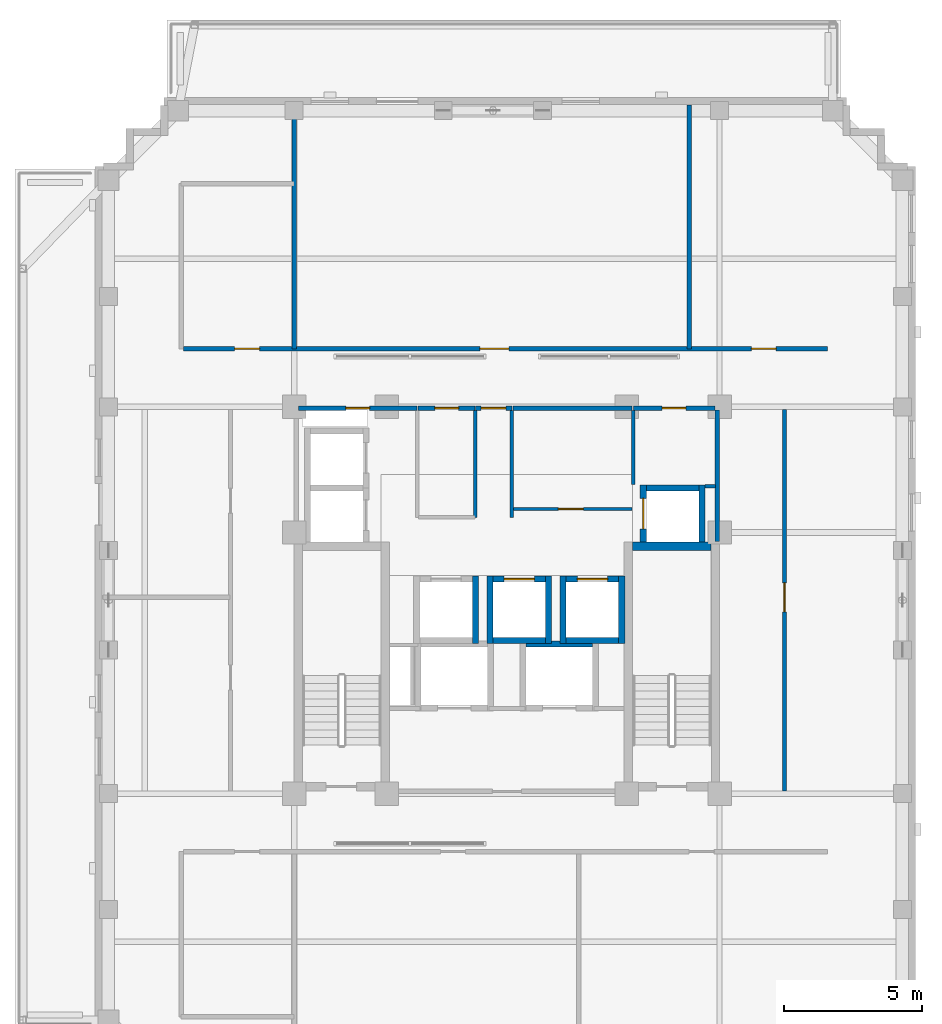
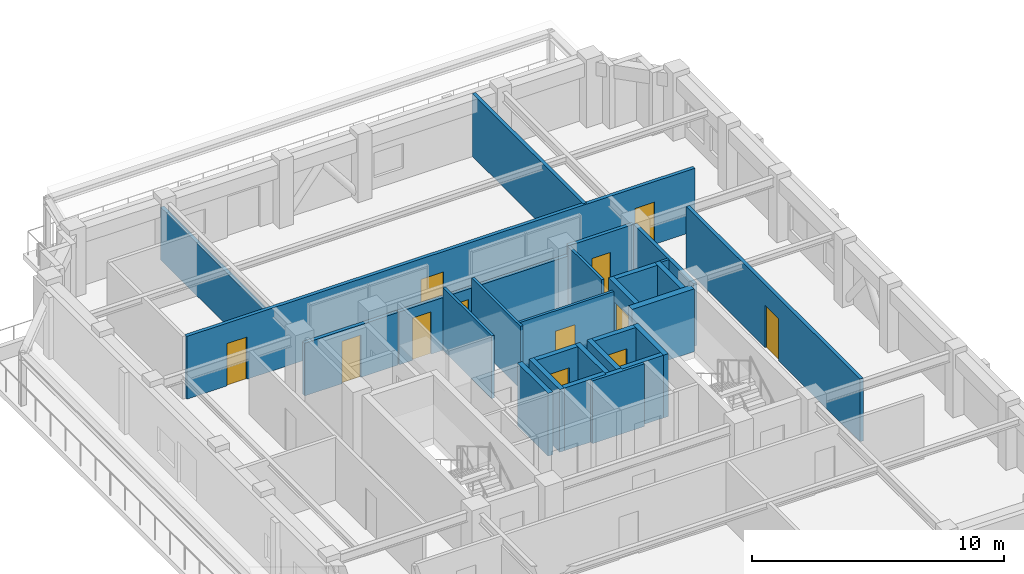
# One storey, part 9 of 14: 29 walls, 12 doors, 12 openings.
"""IFC4 building model written with IfcOpenShell, lengths in metres."""

from ifc_helpers import new_model, si_unit, derived_unit, direction, frame, frame_2d, origin, place, context, subcontext, project, spatial, rectangle, extrude, material, layer, layer_set, type_object, element, fill, save


model = new_model("IFC4")

# Units and contexts
model_context = context("Model", 3, precision=1e-05, world=origin(), true_north=direction((0.0, 1.0)))
body_context = subcontext(model_context, "Body", "Model", "MODEL_VIEW")
ifc_project = project(units=[si_unit("LENGTHUNIT", "METRE"), si_unit("AREAUNIT", "SQUARE_METRE"), si_unit("VOLUMEUNIT", "CUBIC_METRE"), si_unit("PLANEANGLEUNIT", "RADIAN"), si_unit("MASSUNIT", "GRAM", prefix="KILO"), derived_unit("THERMALTRANSMITTANCEUNIT", [(si_unit("MASSUNIT", "GRAM", prefix="KILO"), 1), (si_unit("TIMEUNIT", "SECOND"), -3), (si_unit("THERMODYNAMICTEMPERATUREUNIT", "KELVIN"), -1)])], contexts=[model_context])

# Site, building, storey
site_placement = place(None, origin())
site = spatial("IfcSite", under=ifc_project, at=site_placement, CompositionType="ELEMENT")
building_placement = place(site_placement, origin())
building = spatial("IfcBuilding", under=site, at=building_placement, Name="Korrvale Station Residences", CompositionType="ELEMENT")
storey_placement = place(building_placement, frame((0.0, 0.0, 174.39990234375)))
storey = spatial("IfcBuildingStorey", under=building, at=storey_placement, Name="L50", CompositionType="ELEMENT", Elevation=174.39990234375)

# Walls
ifc_material_1 = material(Name="Concrete C50/60", Category="concrete")
ifc_layer_1 = layer(ifc_material_1, 0.300048828125, Name="Concrete C50/60")
ifc_layer_set_1 = layer_set([ifc_layer_1], Name="Concrete C50/60")
wall_type_1 = type_object("IfcWallType", Name="WAL-CORE-300-C50", PredefinedType="SHEAR", material=ifc_layer_set_1)
wall_1_placement = place(storey_placement, frame((30.050048828125, 23.949951171875, 0.0), z_axis=(0.0, 0.0, 1.0), x_axis=(1.0, 0.0, 0.0)))
element("IfcWall", 1, at=wall_1_placement, inside=storey, type_object=wall_type_1, Name="L50 ST-2 Core Shear Wall North", PredefinedType="SHEAR", context=body_context, shape_type="SweptSolid", body=[
    extrude(rectangle(XDim=2.849853515625, YDim=0.300048828125, at=frame_2d((1.4248046875, 0.0))), origin(), (0.0, 0.0, 1.0), 3.0400390625),
])
ifc_material_2 = material(Name="Acoustic steel-stud gypsum board partition", Category="steel")
ifc_layer_2 = layer(ifc_material_2, 0.1201171875, Name="Acoustic steel-stud gypsum board partition")
ifc_layer_set_2 = layer_set([ifc_layer_2], Name="Acoustic steel-stud gypsum board partition")
wall_type_2 = type_object("IfcWallType", Name="WAL-PART-125", PredefinedType="PARTITIONING", material=ifc_layer_set_2)
for number, where, z_axis, x_axis, name in (
    (2, (24.360107421875, 25.0, 0.0), (0.0, 0.0, 1.0), (0.0, 1.0, 0.0), "L50 Core Partition CW-PSG-W"),
    (3, (25.679931640625, 25.0, 0.0), (0.0, 0.0, 1.0), (0.0, 1.0, 0.0), "L50 Core Partition CW-PSG-E"),
):
    element("IfcWall", number, at=place(storey_placement, frame(where, z_axis=z_axis, x_axis=x_axis)), inside=storey, type_object=wall_type_2, Name=name, PredefinedType="PARTITIONING", context=body_context, shape_type="SweptSolid", body=[
        extrude(rectangle(XDim=3.8701171875, YDim=0.1201171875, at=frame_2d((1.93505859375, 0.0))), origin(), (0.0, 0.0, 1.0), 3.0400390625),
    ])
wall_2_placement = place(storey_placement, frame((30.080078125, 26.179931640625, 0.0), z_axis=(0.0, 0.0, 1.0), x_axis=(0.0, 1.0, 0.0)))
element("IfcWall", 4, at=wall_2_placement, inside=storey, type_object=wall_type_2, Name="L50 Core Partition CW-CS-W", PredefinedType="PARTITIONING", context=body_context, shape_type="SweptSolid", body=[
    extrude(rectangle(XDim=2.68017578125, YDim=0.1201171875, at=frame_2d((1.340087890625, 0.0))), origin(), (0.0, 0.0, 1.0), 3.0400390625),
])
wall_3_placement = place(storey_placement, frame((32.679931640625, 26.1201171875, 0.0), z_axis=(0.0, 0.0, 1.0), x_axis=(1.0, 0.0, 0.0)))
element("IfcWall", 5, at=wall_3_placement, inside=storey, type_object=wall_type_2, Name="L50 Core Partition CW-CS-S", PredefinedType="PARTITIONING", context=body_context, shape_type="SweptSolid", body=[
    extrude(rectangle(XDim=0.380126953125, YDim=0.1201171875, at=frame_2d((0.18994140625, 0.0))), origin(), (0.0, 0.0, 1.0), 3.0400390625),
])

# Wall, opening, door
wall_4_placement = place(storey_placement, frame((25.719970703125, 25.300048828125, 0.0), z_axis=(0.0, 0.0, 1.0), x_axis=(1.0, 0.0, 0.0)))
wall_4 = element("IfcWall", 6, at=wall_4_placement, inside=storey, type_object=wall_type_2, Name="L50 Core Partition CW-FPLE-S", PredefinedType="PARTITIONING", context=body_context, shape_type="SweptSolid", body=[
    extrude(rectangle(XDim=4.320068359375, YDim=0.1201171875, at=frame_2d((2.16015625, 0.0))), origin(), (0.0, 0.0, 1.0), 3.0400390625),
])
opening_1_placement = place(wall_4_placement, frame((1.64990234375, 0.0, 0.0)))
opening_1 = element("IfcOpeningElement", 7, at=opening_1_placement, cuts=wall_4, Name="Opening DI-900", PredefinedType="OPENING", context=body_context, shape_type="SweptSolid", body=[
    extrude(rectangle(XDim=0.89990234375, YDim=2.050048828125, at=frame_2d((0.449951171875, 1.02490234375))), frame((0.0, 0.070068359375, 0.0), z_axis=(0.0, -1.0, 0.0), x_axis=(1.0, 0.0, 0.0)), (0.0, 0.0, 1.0), 0.14013671875),
])
ifc_material_3 = material(Name="Painted solid-core timber interior room door", Category="wood")
door_type_1 = type_object("IfcDoorType", Name="DR-INT-900", OperationType="NOTDEFINED", PredefinedType="DOOR", material=ifc_material_3)
door_1_placement = place(opening_1_placement, origin())
door_1 = element("IfcDoor", 8, at=door_1_placement, inside=storey, type_object=door_type_1, Name="L50 Housekeeping Linen Door", OperationType="SINGLE_SWING_RIGHT", OverallHeight=2.050048828125, OverallWidth=0.89990234375, PredefinedType="DOOR", context=body_context, shape_type="SweptSolid", body=[
    extrude(rectangle(XDim=0.89990234375, YDim=2.050048828125, at=frame_2d((0.449951171875, 1.02490234375))), frame((0.0, 0.02490234375, 0.0), z_axis=(0.0, -1.0, 0.0), x_axis=(1.0, 0.0, 0.0)), (0.0, 0.0, 1.0), 0.050048828125),
])
fill(opening_1, door_1)

# Wall
ifc_material_4 = material(Name="Fire-rated twin-stud gypsum and mineral wool shaftwall assembly", Category="gypsum")
ifc_layer_3 = layer(ifc_material_4, 0.159912109375, Name="Fire-rated twin-stud gypsum and mineral wool shaftwall assembly")
ifc_layer_set_3 = layer_set([ifc_layer_3], Name="Fire-rated twin-stud gypsum and mineral wool shaftwall assembly")
wall_type_3 = type_object("IfcWallType", Name="WAL-PART-200", PredefinedType="PARTITIONING", material=ifc_layer_set_3)
wall_5_placement = place(storey_placement, frame((33.1201171875, 24.1201171875, 0.0), z_axis=(0.0, 0.0, 1.0), x_axis=(0.0, 1.0, 0.0)))
element("IfcWall", 9, at=wall_5_placement, inside=storey, type_object=wall_type_3, Name="L50 Core Partition CW-E-N", PredefinedType="PARTITIONING", context=body_context, shape_type="SweptSolid", body=[
    extrude(rectangle(XDim=4.759765625, YDim=0.159912109375, at=frame_2d((2.3798828125, 0.0))), origin(), (0.0, 0.0, 1.0), 3.0400390625),
])

# Wall, opening, door
wall_6_placement = place(storey_placement, frame((24.360107421875, 28.949951171875, 0.0), z_axis=(0.0, 0.0, 1.0), x_axis=(1.0, 0.0, 0.0)))
wall_6 = element("IfcWall", 10, at=wall_6_placement, inside=storey, type_object=wall_type_3, Name="L50 Core Partition CW-LLOB-N", PredefinedType="PARTITIONING", context=body_context, shape_type="SweptSolid", body=[
    extrude(rectangle(XDim=1.31982421875, YDim=0.159912109375, at=frame_2d((0.659912109375, 0.0))), origin(), (0.0, 0.0, 1.0), 2.55615234375),
])
opening_2_placement = place(wall_6_placement, frame((0.2099609375, 0.0, 0.0)))
opening_2 = element("IfcOpeningElement", 11, at=opening_2_placement, cuts=wall_6, Name="Opening DI-900", PredefinedType="OPENING", context=body_context, shape_type="SweptSolid", body=[
    extrude(rectangle(XDim=0.89990234375, YDim=2.050048828125, at=frame_2d((0.449951171875, 1.02490234375))), frame((0.0, 0.08984375, 0.0), z_axis=(0.0, -1.0, 0.0), x_axis=(1.0, 0.0, 0.0)), (0.0, 0.0, 1.0), 0.179931640625),
])
door_2_placement = place(opening_2_placement, origin())
door_2 = element("IfcDoor", 12, at=door_2_placement, inside=storey, type_object=door_type_1, Name="L50 Central Hallway North Passage Door", OperationType="SINGLE_SWING_RIGHT", OverallHeight=2.050048828125, OverallWidth=0.89990234375, PredefinedType="DOOR", context=body_context, shape_type="SweptSolid", body=[
    extrude(rectangle(XDim=0.89990234375, YDim=2.050048828125, at=frame_2d((0.449951171875, 1.02490234375))), frame((0.0, 0.02490234375, 0.0), z_axis=(0.0, -1.0, 0.0), x_axis=(1.0, 0.0, 0.0)), (0.0, 0.0, 1.0), 0.050048828125),
])
fill(opening_2, door_2)

wall_7_placement = place(storey_placement, frame((17.9599609375, 28.949951171875, 0.0), z_axis=(0.0, 0.0, 1.0), x_axis=(1.0, 0.0, 0.0)))
wall_7 = element("IfcWall", 13, at=wall_7_placement, inside=storey, type_object=wall_type_3, Name="L50 Core Partition CW-NW", PredefinedType="PARTITIONING", context=body_context, shape_type="SweptSolid", body=[
    extrude(rectangle(XDim=4.2900390625, YDim=0.159912109375, at=frame_2d((2.14501953125, 0.0))), origin(), (0.0, 0.0, 1.0), 2.55615234375),
])
opening_3_placement = place(wall_7_placement, frame((1.715087890625, 0.0, 0.0)))
opening_3 = element("IfcOpeningElement", 14, at=opening_3_placement, cuts=wall_7, Name="Opening DB-860", PredefinedType="OPENING", context=body_context, shape_type="SweptSolid", body=[
    extrude(rectangle(XDim=0.860107421875, YDim=2.050048828125, at=frame_2d((0.43017578125, 1.02490234375))), frame((0.0, 0.08984375, 0.0), z_axis=(0.0, -1.0, 0.0), x_axis=(1.0, 0.0, 0.0)), (0.0, 0.0, 1.0), 0.179931640625),
])
ifc_material_5 = material(Name="Moisture-resistant solid-core bathroom door", Category="timber")
door_type_2 = type_object("IfcDoorType", Name="DR-BATH-860", OperationType="NOTDEFINED", PredefinedType="DOOR", material=ifc_material_5)
door_3_placement = place(opening_3_placement, origin())
door_3 = element("IfcDoor", 15, at=door_3_placement, inside=storey, type_object=door_type_2, Name="L50 Electrical Riser Access Door", OperationType="SINGLE_SWING_LEFT", OverallHeight=2.050048828125, OverallWidth=0.860107421875, PredefinedType="DOOR", context=body_context, shape_type="SweptSolid", body=[
    extrude(rectangle(XDim=0.860107421875, YDim=2.050048828125, at=frame_2d((0.43017578125, 1.02490234375))), frame((0.0, 0.02490234375, 0.0), z_axis=(0.0, -1.0, 0.0), x_axis=(1.0, 0.0, 0.0)), (0.0, 0.0, 1.0), 0.050048828125),
])
fill(opening_3, door_3)

wall_8_placement = place(storey_placement, frame((30.080078125, 28.949951171875, 0.0), z_axis=(0.0, 0.0, 1.0), x_axis=(1.0, 0.0, 0.0)))
wall_8 = element("IfcWall", 16, at=wall_8_placement, inside=storey, type_object=wall_type_3, Name="L50 Core Partition CW-CS-N", PredefinedType="PARTITIONING", context=body_context, shape_type="SweptSolid", body=[
    extrude(rectangle(XDim=2.9599609375, YDim=0.159912109375, at=frame_2d((1.47998046875, 0.0))), origin(), (0.0, 0.0, 1.0), 3.0400390625),
])
opening_4_placement = place(wall_8_placement, frame((1.044921875, 0.0, 0.0)))
opening_4 = element("IfcOpeningElement", 17, at=opening_4_placement, cuts=wall_8, Name="Opening DB-860", PredefinedType="OPENING", context=body_context, shape_type="SweptSolid", body=[
    extrude(rectangle(XDim=0.860107421875, YDim=2.050048828125, at=frame_2d((0.43017578125, 1.02490234375))), frame((0.0, 0.08984375, 0.0), z_axis=(0.0, -1.0, 0.0), x_axis=(1.0, 0.0, 0.0)), (0.0, 0.0, 1.0), 0.179931640625),
])
door_4_placement = place(opening_4_placement, origin())
door_4 = element("IfcDoor", 18, at=door_4_placement, inside=storey, type_object=door_type_2, Name="L50 Parcel Room Door", OperationType="SINGLE_SWING_RIGHT", OverallHeight=2.050048828125, OverallWidth=0.860107421875, PredefinedType="DOOR", context=body_context, shape_type="SweptSolid", body=[
    extrude(rectangle(XDim=0.860107421875, YDim=2.050048828125, at=frame_2d((0.43017578125, 1.02490234375))), frame((0.0, 0.02490234375, 0.0), z_axis=(0.0, -1.0, 0.0), x_axis=(1.0, 0.0, 0.0)), (0.0, 0.0, 1.0), 0.050048828125),
])
fill(opening_4, door_4)

wall_9_placement = place(storey_placement, frame((22.280029296875, 28.949951171875, 0.0), z_axis=(0.0, 0.0, 1.0), x_axis=(1.0, 0.0, 0.0)))
wall_9 = element("IfcWall", 19, at=wall_9_placement, inside=storey, type_object=wall_type_3, Name="L50 Core Partition CW-FPLW-N", PredefinedType="PARTITIONING", context=body_context, shape_type="SweptSolid", body=[
    extrude(rectangle(XDim=2.06005859375, YDim=0.159912109375, at=frame_2d((1.030029296875, 0.0))), origin(), (0.0, 0.0, 1.0), 2.55615234375),
])
opening_5_placement = place(wall_9_placement, frame((0.6201171875, 0.0, 0.0)))
opening_5 = element("IfcOpeningElement", 20, at=opening_5_placement, cuts=wall_9, Name="Opening DB-860", PredefinedType="OPENING", context=body_context, shape_type="SweptSolid", body=[
    extrude(rectangle(XDim=0.860107421875, YDim=2.050048828125, at=frame_2d((0.43017578125, 1.02490234375))), frame((0.0, 0.08984375, 0.0), z_axis=(0.0, -1.0, 0.0), x_axis=(1.0, 0.0, 0.0)), (0.0, 0.0, 1.0), 0.179931640625),
])
door_5_placement = place(opening_5_placement, origin())
door_5 = element("IfcDoor", 21, at=door_5_placement, inside=storey, type_object=door_type_2, Name="L50 Resident Parcel Room Door", OperationType="SINGLE_SWING_LEFT", OverallHeight=2.050048828125, OverallWidth=0.860107421875, PredefinedType="DOOR", context=body_context, shape_type="SweptSolid", body=[
    extrude(rectangle(XDim=0.860107421875, YDim=2.050048828125, at=frame_2d((0.43017578125, 1.02490234375))), frame((0.0, 0.02490234375, 0.0), z_axis=(0.0, -1.0, 0.0), x_axis=(1.0, 0.0, 0.0)), (0.0, 0.0, 1.0), 0.050048828125),
])
fill(opening_5, door_5)

# Wall
wall_10_placement = place(storey_placement, frame((25.719970703125, 28.949951171875, 0.0), z_axis=(0.0, 0.0, 1.0), x_axis=(1.0, 0.0, 0.0)))
element("IfcWall", 22, at=wall_10_placement, inside=storey, type_object=wall_type_3, Name="L50 Core Partition CW-FPLE-N", PredefinedType="PARTITIONING", context=body_context, shape_type="SweptSolid", body=[
    extrude(rectangle(XDim=4.320068359375, YDim=0.159912109375, at=frame_2d((2.16015625, 0.0))), origin(), (0.0, 0.0, 1.0), 2.55615234375),
])

# Wall, openings, doors
wall_11_placement = place(storey_placement, frame((13.800048828125, 31.10009765625, 0.0), z_axis=(0.0, 0.0, 1.0), x_axis=(1.0, 0.0, 0.0)))
wall_11 = element("IfcWall", 23, at=wall_11_placement, inside=storey, type_object=wall_type_3, Name="L50 Interior Partition W-SN", PredefinedType="PARTITIONING", context=body_context, shape_type="SweptSolid", body=[
    extrude(rectangle(XDim=23.300048828125, YDim=0.159912109375, at=frame_2d((11.64990234375, 0.0))), origin(), (0.0, 0.0, 1.0), 3.0400390625),
])
opening_6_placement = place(wall_11_placement, frame((1.85009765625, 0.0, 0.0)))
opening_6 = element("IfcOpeningElement", 24, at=opening_6_placement, cuts=wall_11, Name="Opening DI-900", PredefinedType="OPENING", context=body_context, shape_type="SweptSolid", body=[
    extrude(rectangle(XDim=0.89990234375, YDim=2.050048828125, at=frame_2d((0.449951171875, 1.02490234375))), frame((0.0, 0.08984375, 0.0), z_axis=(0.0, -1.0, 0.0), x_axis=(1.0, 0.0, 0.0)), (0.0, 0.0, 1.0), 0.179931640625),
])
opening_7_placement = place(wall_11_placement, frame((10.72509765625, 0.0, 0.0)))
opening_7 = element("IfcOpeningElement", 25, at=opening_7_placement, cuts=wall_11, Name="Opening FD-1050", PredefinedType="OPENING", context=body_context, shape_type="SweptSolid", body=[
    extrude(rectangle(XDim=1.050048828125, YDim=2.050048828125, at=frame_2d((0.52490234375, 1.02490234375))), frame((0.0, 0.08984375, 0.0), z_axis=(0.0, -1.0, 0.0), x_axis=(1.0, 0.0, 0.0)), (0.0, 0.0, 1.0), 0.179931640625),
])
opening_8_placement = place(wall_11_placement, frame((20.550048828125, 0.0, 0.0)))
opening_8 = element("IfcOpeningElement", 26, at=opening_8_placement, cuts=wall_11, Name="Opening DI-900", PredefinedType="OPENING", context=body_context, shape_type="SweptSolid", body=[
    extrude(rectangle(XDim=0.89990234375, YDim=2.050048828125, at=frame_2d((0.449951171875, 1.02490234375))), frame((0.0, 0.08984375, 0.0), z_axis=(0.0, -1.0, 0.0), x_axis=(1.0, 0.0, 0.0)), (0.0, 0.0, 1.0), 0.179931640625),
])
ifc_material_6 = material(Name="Fire-rated mineral-core timber lobby door", Category="wood")
door_type_3 = type_object("IfcDoorType", Name="DR-CORE-1050", OperationType="NOTDEFINED", PredefinedType="DOOR", material=ifc_material_6)
door_6_placement = place(opening_7_placement, origin())
door_6 = element("IfcDoor", 27, at=door_6_placement, inside=storey, type_object=door_type_3, Name="L50 Sky Reception Door", OperationType="SINGLE_SWING_LEFT", OverallHeight=2.050048828125, OverallWidth=1.050048828125, PredefinedType="DOOR", context=body_context, shape_type="SweptSolid", body=[
    extrude(rectangle(XDim=1.050048828125, YDim=2.050048828125, at=frame_2d((0.52490234375, 1.02490234375))), frame((0.0, 0.02490234375, 0.0), z_axis=(0.0, -1.0, 0.0), x_axis=(1.0, 0.0, 0.0)), (0.0, 0.0, 1.0), 0.050048828125),
])
fill(opening_7, door_6)
door_7_placement = place(opening_6_placement, origin())
door_7 = element("IfcDoor", 28, at=door_7_placement, inside=storey, type_object=door_type_1, Name="L50 Sky Washrooms Door", OperationType="SINGLE_SWING_RIGHT", OverallHeight=2.050048828125, OverallWidth=0.89990234375, PredefinedType="DOOR", context=body_context, shape_type="SweptSolid", body=[
    extrude(rectangle(XDim=0.89990234375, YDim=2.050048828125, at=frame_2d((0.449951171875, 1.02490234375))), frame((0.0, 0.02490234375, 0.0), z_axis=(0.0, -1.0, 0.0), x_axis=(1.0, 0.0, 0.0)), (0.0, 0.0, 1.0), 0.050048828125),
])
fill(opening_6, door_7)
door_8_placement = place(opening_8_placement, origin())
door_8 = element("IfcDoor", 29, at=door_8_placement, inside=storey, type_object=door_type_1, Name="L50 North Dining Room Door", OperationType="SINGLE_SWING_RIGHT", OverallHeight=2.050048828125, OverallWidth=0.89990234375, PredefinedType="DOOR", context=body_context, shape_type="SweptSolid", body=[
    extrude(rectangle(XDim=0.89990234375, YDim=2.050048828125, at=frame_2d((0.449951171875, 1.02490234375))), frame((0.0, 0.02490234375, 0.0), z_axis=(0.0, -1.0, 0.0), x_axis=(1.0, 0.0, 0.0)), (0.0, 0.0, 1.0), 0.050048828125),
])
fill(opening_8, door_8)

# Walls
wall_12_placement = place(storey_placement, frame((17.800048828125, 31.10009765625, 0.0), z_axis=(0.0, 0.0, 1.0), x_axis=(0.0, 1.0, 0.0)))
element("IfcWall", 30, at=wall_12_placement, inside=storey, type_object=wall_type_3, Name="L50 Interior Partition W-SM2", PredefinedType="PARTITIONING", context=body_context, shape_type="SweptSolid", body=[
    extrude(rectangle(XDim=8.7998046875, YDim=0.159912109375, at=frame_2d((4.39990234375, 0.0))), origin(), (0.0, 0.0, 1.0), 2.55615234375),
])
wall_13_placement = place(storey_placement, frame((32.10009765625, 31.10009765625, 0.0), z_axis=(0.0, 0.0, 1.0), x_axis=(0.0, 1.0, 0.0)))
element("IfcWall", 31, at=wall_13_placement, inside=storey, type_object=wall_type_3, Name="L50 Interior Partition W-SM4", PredefinedType="PARTITIONING", context=body_context, shape_type="SweptSolid", body=[
    extrude(rectangle(XDim=8.81982421875, YDim=0.159912109375, at=frame_2d((4.409912109375, 0.0))), origin(), (0.0, 0.0, 1.0), 3.0400390625),
])

# Wall, opening, door
wall_14_placement = place(storey_placement, frame((35.550048828125, 15.10009765625, 0.0), z_axis=(0.0, 0.0, 1.0), x_axis=(0.0, 1.0, 0.0)))
wall_14 = element("IfcWall", 32, at=wall_14_placement, inside=storey, type_object=wall_type_3, Name="L50 Interior Partition W-SE", PredefinedType="PARTITIONING", context=body_context, shape_type="SweptSolid", body=[
    extrude(rectangle(XDim=13.7998046875, YDim=0.159912109375, at=frame_2d((6.89990234375, 0.0))), origin(), (0.0, 0.0, 1.0), 3.0400390625),
])
opening_9_placement = place(wall_14_placement, frame((6.47509765625, 0.0, 0.0)))
opening_9 = element("IfcOpeningElement", 33, at=opening_9_placement, cuts=wall_14, Name="Opening FD-1050", PredefinedType="OPENING", context=body_context, shape_type="SweptSolid", body=[
    extrude(rectangle(XDim=1.050048828125, YDim=2.050048828125, at=frame_2d((0.52490234375, 1.02490234375))), frame((0.0, 0.08984375, 0.0), z_axis=(0.0, -1.0, 0.0), x_axis=(1.0, 0.0, 0.0)), (0.0, 0.0, 1.0), 0.179931640625),
])
door_9_placement = place(opening_9_placement, origin())
door_9 = element("IfcDoor", 34, at=door_9_placement, inside=storey, type_object=door_type_3, Name="L50 East Sky Salon Door", OperationType="SINGLE_SWING_LEFT", OverallHeight=2.050048828125, OverallWidth=1.050048828125, PredefinedType="DOOR", context=body_context, shape_type="SweptSolid", body=[
    extrude(rectangle(XDim=1.050048828125, YDim=2.050048828125, at=frame_2d((0.52490234375, 1.02490234375))), frame((0.0, 0.02490234375, 0.0), z_axis=(0.0, -1.0, 0.0), x_axis=(1.0, 0.0, 0.0)), (0.0, 0.0, 1.0), 0.050048828125),
])
fill(opening_9, door_9)

# Walls
ifc_layer_4 = layer(ifc_material_1, 0.219970703125, Name="Concrete C50/60")
ifc_layer_set_4 = layer_set([ifc_layer_4], Name="Concrete C50/60")
wall_type_4 = type_object("IfcWallType", Name="WAL-SHAFT-220-C50", PredefinedType="SHEAR", material=ifc_layer_set_4)
wall_15_placement = place(storey_placement, frame((24.360107421875, 20.429931640625, 0.0), z_axis=(0.0, 0.0, 1.0), x_axis=(0.0, 1.0, 0.0)))
element("IfcWall", 35, at=wall_15_placement, inside=storey, type_object=wall_type_4, Name="L50 Elevator PM-1 Hoistway Wall East", PredefinedType="SHEAR", context=body_context, shape_type="SweptSolid", body=[
    extrude(rectangle(XDim=2.440185546875, YDim=0.219970703125, at=frame_2d((1.22021484375, 0.0))), origin(), (0.0, 0.0, 1.0), 3.0400390625),
])
wall_16_placement = place(storey_placement, frame((25.0, 20.5400390625, 0.0), z_axis=(0.0, 0.0, 1.0), x_axis=(1.0, 0.0, 0.0)))
element("IfcWall", 36, at=wall_16_placement, inside=storey, type_object=wall_type_4, Name="L50 Elevator PM-2 Hoistway Wall South", PredefinedType="SHEAR", context=body_context, shape_type="SweptSolid", body=[
    extrude(rectangle(XDim=1.89990234375, YDim=0.219970703125, at=frame_2d((0.949951171875, 0.0))), origin(), (0.0, 0.0, 1.0), 3.0400390625),
])

# Wall, opening, door
wall_17_placement = place(storey_placement, frame((25.0, 22.760009765625, 0.0), z_axis=(0.0, 0.0, 1.0), x_axis=(1.0, 0.0, 0.0)))
wall_17 = element("IfcWall", 37, at=wall_17_placement, inside=storey, type_object=wall_type_4, Name="L50 Elevator PM-2 Hoistway Wall North", PredefinedType="SHEAR", context=body_context, shape_type="SweptSolid", body=[
    extrude(rectangle(XDim=1.89990234375, YDim=0.219970703125, at=frame_2d((0.949951171875, 0.0))), origin(), (0.0, 0.0, 1.0), 3.0400390625),
])
opening_10_placement = place(wall_17_placement, frame((0.39990234375, 0.0, 0.0)))
opening_10 = element("IfcOpeningElement", 38, at=opening_10_placement, cuts=wall_17, Name="Opening LD-1100", PredefinedType="OPENING", context=body_context, shape_type="SweptSolid", body=[
    extrude(rectangle(XDim=1.10009765625, YDim=2.14990234375, at=frame_2d((0.550048828125, 1.074951171875))), frame((0.0, 0.1201171875, 0.0), z_axis=(0.0, -1.0, 0.0), x_axis=(1.0, 0.0, 0.0)), (0.0, 0.0, 1.0), 0.239990234375),
])
ifc_material_7 = material(Name="Brushed stainless-steel elevator landing sliding door", Category="steel")
door_type_4 = type_object("IfcDoorType", Name="DR-LIFT-1100", OperationType="SLIDING_TO_LEFT", PredefinedType="DOOR", material=ifc_material_7)
door_10_placement = place(opening_10_placement, origin())
door_10 = element("IfcDoor", 39, at=door_10_placement, inside=storey, type_object=door_type_4, Name="L50 Elevator PM-2 Sliding Landing Door", OperationType="SLIDING_TO_LEFT", OverallHeight=2.14990234375, OverallWidth=1.10009765625, PredefinedType="DOOR", context=body_context, shape_type="SweptSolid", body=[
    extrude(rectangle(XDim=1.10009765625, YDim=2.14990234375, at=frame_2d((0.550048828125, 1.074951171875))), frame((0.0, 0.02490234375, 0.0), z_axis=(0.0, -1.0, 0.0), x_axis=(1.0, 0.0, 0.0)), (0.0, 0.0, 1.0), 0.050048828125),
])
fill(opening_10, door_10)

# Walls
for number, where, z_axis, x_axis, name in (
    (40, (24.889892578125, 20.429931640625, 0.0), (0.0, 0.0, 1.0), (0.0, 1.0, 0.0), "L50 Elevator PM-2 Hoistway Wall West"),
    (41, (27.010009765625, 20.429931640625, 0.0), (0.0, 0.0, 1.0), (0.0, 1.0, 0.0), "L50 Elevator PM-2 Hoistway Wall East"),
):
    element("IfcWall", number, at=place(storey_placement, frame(where, z_axis=z_axis, x_axis=x_axis)), inside=storey, type_object=wall_type_4, Name=name, PredefinedType="SHEAR", context=body_context, shape_type="SweptSolid", body=[
        extrude(rectangle(XDim=2.440185546875, YDim=0.219970703125, at=frame_2d((1.22021484375, 0.0))), origin(), (0.0, 0.0, 1.0), 3.0400390625),
    ])
wall_18_placement = place(storey_placement, frame((27.64990234375, 20.5400390625, 0.0), z_axis=(0.0, 0.0, 1.0), x_axis=(1.0, 0.0, 0.0)))
element("IfcWall", 42, at=wall_18_placement, inside=storey, type_object=wall_type_4, Name="L50 Elevator PM-3 Hoistway Wall South", PredefinedType="SHEAR", context=body_context, shape_type="SweptSolid", body=[
    extrude(rectangle(XDim=1.900146484375, YDim=0.219970703125, at=frame_2d((0.9501953125, 0.0))), origin(), (0.0, 0.0, 1.0), 3.0400390625),
])

# Wall, opening, door
wall_19_placement = place(storey_placement, frame((27.64990234375, 22.760009765625, 0.0), z_axis=(0.0, 0.0, 1.0), x_axis=(1.0, 0.0, 0.0)))
wall_19 = element("IfcWall", 43, at=wall_19_placement, inside=storey, type_object=wall_type_4, Name="L50 Elevator PM-3 Hoistway Wall North", PredefinedType="SHEAR", context=body_context, shape_type="SweptSolid", body=[
    extrude(rectangle(XDim=1.900146484375, YDim=0.219970703125, at=frame_2d((0.9501953125, 0.0))), origin(), (0.0, 0.0, 1.0), 3.0400390625),
])
opening_11_placement = place(wall_19_placement, frame((0.39990234375, 0.0, 0.0)))
opening_11 = element("IfcOpeningElement", 44, at=opening_11_placement, cuts=wall_19, Name="Opening LD-1100", PredefinedType="OPENING", context=body_context, shape_type="SweptSolid", body=[
    extrude(rectangle(XDim=1.10009765625, YDim=2.14990234375, at=frame_2d((0.550048828125, 1.074951171875))), frame((0.0, 0.1201171875, 0.0), z_axis=(0.0, -1.0, 0.0), x_axis=(1.0, 0.0, 0.0)), (0.0, 0.0, 1.0), 0.239990234375),
])
door_11_placement = place(opening_11_placement, origin())
door_11 = element("IfcDoor", 45, at=door_11_placement, inside=storey, type_object=door_type_4, Name="L50 Elevator PM-3 Sliding Landing Door", OperationType="SLIDING_TO_LEFT", OverallHeight=2.14990234375, OverallWidth=1.10009765625, PredefinedType="DOOR", context=body_context, shape_type="SweptSolid", body=[
    extrude(rectangle(XDim=1.10009765625, YDim=2.14990234375, at=frame_2d((0.550048828125, 1.074951171875))), frame((0.0, 0.02490234375, 0.0), z_axis=(0.0, -1.0, 0.0), x_axis=(1.0, 0.0, 0.0)), (0.0, 0.0, 1.0), 0.050048828125),
])
fill(opening_11, door_11)

# Walls
for number, where, z_axis, x_axis, name in (
    (46, (27.5400390625, 20.429931640625, 0.0), (0.0, 0.0, 1.0), (0.0, 1.0, 0.0), "L50 Elevator PM-3 Hoistway Wall West"),
    (47, (29.659912109375, 20.429931640625, 0.0), (0.0, 0.0, 1.0), (0.0, 1.0, 0.0), "L50 Elevator PM-3 Hoistway Wall East"),
):
    element("IfcWall", number, at=place(storey_placement, frame(where, z_axis=z_axis, x_axis=x_axis)), inside=storey, type_object=wall_type_4, Name=name, PredefinedType="SHEAR", context=body_context, shape_type="SweptSolid", body=[
        extrude(rectangle(XDim=2.440185546875, YDim=0.219970703125, at=frame_2d((1.22021484375, 0.0))), origin(), (0.0, 0.0, 1.0), 3.0400390625),
    ])
wall_20_placement = place(storey_placement, frame((30.550048828125, 26.06005859375, 0.0), z_axis=(0.0, 0.0, 1.0), x_axis=(1.0, 0.0, 0.0)))
element("IfcWall", 48, at=wall_20_placement, inside=storey, type_object=wall_type_4, Name="L50 Elevator PH-3 Hoistway Wall North", PredefinedType="SHEAR", context=body_context, shape_type="SweptSolid", body=[
    extrude(rectangle(XDim=1.89990234375, YDim=0.219970703125, at=frame_2d((0.949951171875, 0.0))), origin(), (0.0, 0.0, 1.0), 3.0400390625),
])

# Wall, opening, door
wall_21_placement = place(storey_placement, frame((30.43994140625, 24.10009765625, 0.0), z_axis=(0.0, 0.0, 1.0), x_axis=(0.0, 1.0, 0.0)))
wall_21 = element("IfcWall", 49, at=wall_21_placement, inside=storey, type_object=wall_type_4, Name="L50 Elevator PH-3 Hoistway Wall West", PredefinedType="SHEAR", context=body_context, shape_type="SweptSolid", body=[
    extrude(rectangle(XDim=2.06982421875, YDim=0.219970703125, at=frame_2d((1.034912109375, 0.0))), origin(), (0.0, 0.0, 1.0), 3.0400390625),
])
opening_12_placement = place(wall_21_placement, frame((0.485107421875, 0.0, 0.0)))
opening_12 = element("IfcOpeningElement", 50, at=opening_12_placement, cuts=wall_21, Name="Opening LD-1100", PredefinedType="OPENING", context=body_context, shape_type="SweptSolid", body=[
    extrude(rectangle(XDim=1.10009765625, YDim=2.14990234375, at=frame_2d((0.550048828125, 1.074951171875))), frame((0.0, 0.1201171875, 0.0), z_axis=(0.0, -1.0, 0.0), x_axis=(1.0, 0.0, 0.0)), (0.0, 0.0, 1.0), 0.239990234375),
])
door_12_placement = place(opening_12_placement, origin())
door_12 = element("IfcDoor", 51, at=door_12_placement, inside=storey, type_object=door_type_4, Name="L50 Elevator PH-3 Sliding Landing Door", OperationType="SLIDING_TO_LEFT", OverallHeight=2.14990234375, OverallWidth=1.10009765625, PredefinedType="DOOR", context=body_context, shape_type="SweptSolid", body=[
    extrude(rectangle(XDim=1.10009765625, YDim=2.14990234375, at=frame_2d((0.550048828125, 1.074951171875))), frame((0.0, 0.02490234375, 0.0), z_axis=(0.0, -1.0, 0.0), x_axis=(1.0, 0.0, 0.0)), (0.0, 0.0, 1.0), 0.050048828125),
])
fill(opening_12, door_12)

# Walls
wall_22_placement = place(storey_placement, frame((32.56005859375, 24.10009765625, 0.0), z_axis=(0.0, 0.0, 1.0), x_axis=(0.0, 1.0, 0.0)))
element("IfcWall", 52, at=wall_22_placement, inside=storey, type_object=wall_type_4, Name="L50 Elevator PH-3 Hoistway Wall East", PredefinedType="SHEAR", context=body_context, shape_type="SweptSolid", body=[
    extrude(rectangle(XDim=2.06982421875, YDim=0.219970703125, at=frame_2d((1.034912109375, 0.0))), origin(), (0.0, 0.0, 1.0), 3.0400390625),
])
wall_23_placement = place(storey_placement, frame((26.199951171875, 20.409912109375, 0.0), z_axis=(0.0, 0.0, 1.0), x_axis=(1.0, 0.0, 0.0)))
element("IfcWall", 53, at=wall_23_placement, inside=storey, type_object=wall_type_4, Name="L50 Elevator FFL-2 Hoistway Wall North", PredefinedType="SHEAR", context=body_context, shape_type="SweptSolid", body=[
    extrude(rectangle(XDim=2.400146484375, YDim=0.219970703125, at=frame_2d((1.2001953125, 0.0))), origin(), (0.0, 0.0, 1.0), 3.0400390625),
])

save(model, "model.ifc")
